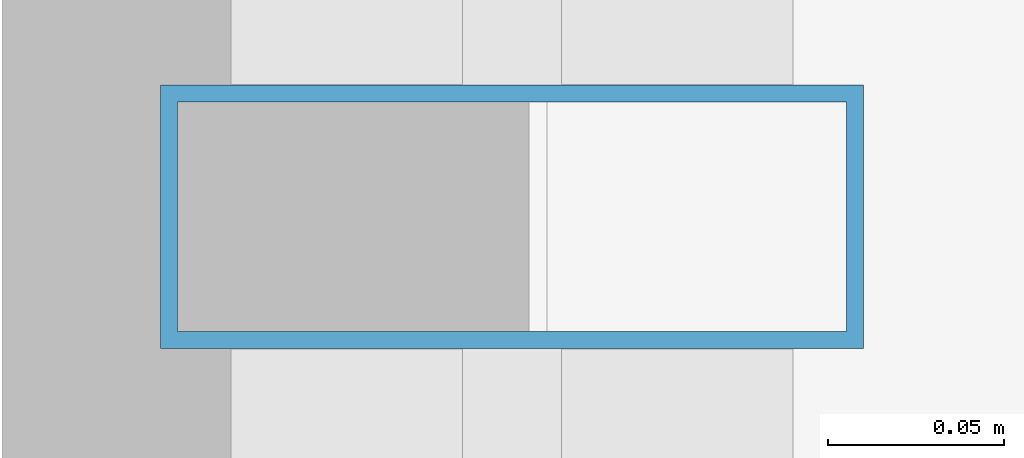
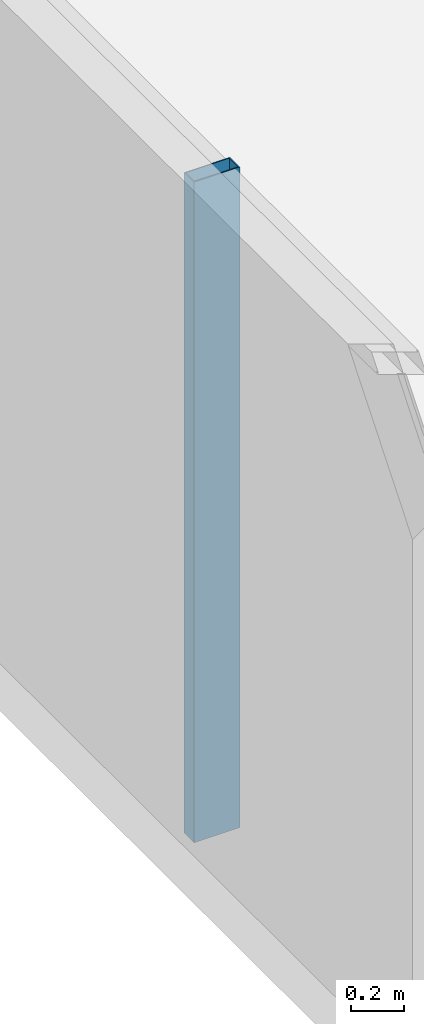
# One storey, part 8 of 30: 1 member, 1 element without a shape of its own.
"""IFC4 building model written with IfcOpenShell, lengths in metres."""

import ifcopenshell
import ifcopenshell.guid

model = None  # the IFC model being written
_history = None  # IfcOwnerHistory: only IFC2X3 demands one
_inside = {}  # id of a spatial element -> (the spatial element, [elements in it])
_under = {}  # id of a project, library or spatial element -> (it, [spatial elements below it])
_declared = {}  # id of a project -> (the project, [libraries it declares])
_typed = {}  # id of a type object -> (the type object, [elements of that type])
_made_of = {}  # id of a material, layer set ... -> (it, [elements and type objects made of it])


def new_model(schema):
    """Start an empty IFC model of exactly this schema.

    Asked for "IFC4X3", IfcOpenShell would pick the latest addendum, in which some entities
    have other attributes; the version numbers below select the first issue.
    IFC2X3 requires an IfcOwnerHistory on every rooted entity: one is made here for all.
    """
    global model, _history
    if schema == "IFC4X3":
        model = ifcopenshell.file(schema_version=(4, 3, 0, 0))
    else:
        model = ifcopenshell.file(schema=schema)
    _inside.clear()
    _under.clear()
    _declared.clear()
    _typed.clear()
    _made_of.clear()
    _history = None
    if model.schema == "IFC2X3":
        org = make("IfcOrganization", Name="unknown")
        user = make(
            "IfcPersonAndOrganization",
            ThePerson=make("IfcPerson", FamilyName="unknown"),
            TheOrganization=org,
        )
        app = make(
            "IfcApplication",
            ApplicationDeveloper=org,
            Version="unknown",
            ApplicationFullName="unknown",
            ApplicationIdentifier="unknown",
        )
        _history = make(
            "IfcOwnerHistory",
            OwningUser=user,
            OwningApplication=app,
            ChangeAction="ADDED",
            CreationDate=0,
        )
    return model


def make(cls, **values):
    """One entity of the class cls with the attributes given. An attribute that is None is left unset."""
    return model.create_entity(
        cls, **{name: value for name, value in values.items() if value is not None}
    )


def rooted(cls, **values):
    """An entity with a GlobalId (a new one), such as an element, a storey or a relation."""
    return make(cls, GlobalId=ifcopenshell.guid.new(), OwnerHistory=_history, **values)


def si_unit(unit_type, name, prefix=None):
    """IfcSIUnit, for example si_unit("LENGTHUNIT", "METRE", prefix="MILLI")."""
    return make("IfcSIUnit", UnitType=unit_type, Prefix=prefix, Name=name)


def assignment(units):
    """IfcUnitAssignment: the units of a project."""
    return None if units is None else make("IfcUnitAssignment", Units=units)


def point(xyz):
    """IfcCartesianPoint."""
    return None if xyz is None else make("IfcCartesianPoint", Coordinates=xyz)


def direction(xyz):
    """IfcDirection."""
    return None if xyz is None else make("IfcDirection", DirectionRatios=xyz)


def frame(location, z_axis=None, x_axis=None):
    """IfcAxis2Placement3D, a coordinate frame: its origin and axes. An axis left out is left unset."""
    return make(
        "IfcAxis2Placement3D",
        Location=point(location),
        Axis=direction(z_axis),
        RefDirection=direction(x_axis),
    )


def frame_2d(location, x_axis=None):
    """IfcAxis2Placement2D, a coordinate frame in the plane: its origin and x axis."""
    return make(
        "IfcAxis2Placement2D", Location=point(location), RefDirection=direction(x_axis)
    )


def origin():
    """The frame at (0, 0, 0) with its axes left unset."""
    return frame((0.0, 0.0, 0.0))


def origin_2d():
    """The frame at (0, 0) in the plane with its x axis left unset."""
    return frame_2d((0.0, 0.0))


def place(relative_to, where):
    """IfcLocalPlacement: puts the frame where relative to a parent placement (None: the world)."""
    return make(
        "IfcLocalPlacement", PlacementRelTo=relative_to, RelativePlacement=where
    )


def context(
    kind, dimensions, precision=None, world=None, true_north=None, identifier=None
):
    """IfcGeometricRepresentationContext, for example the 3D "Model" context."""
    return make(
        "IfcGeometricRepresentationContext",
        ContextIdentifier=identifier,
        ContextType=kind,
        CoordinateSpaceDimension=dimensions,
        Precision=precision,
        WorldCoordinateSystem=world,
        TrueNorth=true_north,
    )


def subcontext(parent, identifier, kind, view, scale=None):
    """IfcGeometricRepresentationSubContext, for example "Body" below "Model"."""
    return make(
        "IfcGeometricRepresentationSubContext",
        ContextIdentifier=identifier,
        ContextType=kind,
        ParentContext=parent,
        TargetScale=scale,
        TargetView=view,
    )


def project(units=None, contexts=None):
    """IfcProject with its units and contexts."""
    return rooted(
        "IfcProject",
        Name="project",
        RepresentationContexts=contexts,
        UnitsInContext=assignment(units),
    )


def spatial(cls, under=None, at=None, **own):
    """A site, building, storey or space (cls), placed at a placement, below another one or the project."""
    s = rooted(cls, ObjectPlacement=at, **own)
    if under is not None:
        _under.setdefault(under.id(), (under, []))[1].append(s)
    return s


def profile(cls, at=None, kind="AREA", **sizes):
    """A parametric profile (cls). Its sizes go by their IFC names, for example OverallWidth=200.0."""
    return make(cls, ProfileType=kind, Position=at, **sizes)


def hollow_rectangle(**sizes):
    """IfcRectangleHollowProfileDef."""
    return profile("IfcRectangleHollowProfileDef", **sizes)


def extrude(swept, where, along, depth):
    """IfcExtrudedAreaSolid: the profile swept, set in the frame where, extruded along a direction by depth."""
    return make(
        "IfcExtrudedAreaSolid",
        SweptArea=swept,
        Position=where,
        ExtrudedDirection=direction(along),
        Depth=depth,
    )


def shape(context_of_items, identifier, shape_type, items):
    """IfcShapeRepresentation: the items that make up one representation, for example the "Body"."""
    return make(
        "IfcShapeRepresentation",
        ContextOfItems=context_of_items,
        RepresentationIdentifier=identifier,
        RepresentationType=shape_type,
        Items=items,
    )


def source(mapping_origin, context_of_items, identifier, shape_type, items):
    """IfcRepresentationMap: a shape defined once, which mapped items show again and again."""
    return make(
        "IfcRepresentationMap",
        MappingOrigin=mapping_origin,
        MappedRepresentation=shape(context_of_items, identifier, shape_type, items),
    )


def transform(
    local_origin,
    x_axis=None,
    y_axis=None,
    z_axis=None,
    scale=None,
    scale2=None,
    scale3=None,
    uniform=True,
):
    """IfcCartesianTransformationOperator3D, or its non-uniform kind. x_axis, y_axis, z_axis: its Axis1, 2, 3."""
    if uniform:
        return make(
            "IfcCartesianTransformationOperator3D",
            Axis1=direction(x_axis),
            Axis2=direction(y_axis),
            LocalOrigin=point(local_origin),
            Scale=scale,
            Axis3=direction(z_axis),
        )
    return make(
        "IfcCartesianTransformationOperator3DnonUniform",
        Axis1=direction(x_axis),
        Axis2=direction(y_axis),
        LocalOrigin=point(local_origin),
        Scale=scale,
        Axis3=direction(z_axis),
        Scale2=scale2,
        Scale3=scale3,
    )


def mapped(mapping_source, mapping_target):
    """IfcMappedItem: shows the shape of a source again, moved by a transform."""
    return make(
        "IfcMappedItem", MappingSource=mapping_source, MappingTarget=mapping_target
    )


def material(Name=None, Category=None):
    """IfcMaterial."""
    return make("IfcMaterial", Name=Name, Category=Category)


def layer(
    of_material, thickness, ventilated=None, Name=None, Category=None, Priority=None
):
    """IfcMaterialLayer: one layer of a wall or slab, of a material (None: an air gap)."""
    return make(
        "IfcMaterialLayer",
        Material=of_material,
        LayerThickness=thickness,
        IsVentilated=ventilated,
        Name=Name,
        Category=Category,
        Priority=Priority,
    )


def layer_set(layers, Name=None):
    """IfcMaterialLayerSet."""
    return make("IfcMaterialLayerSet", MaterialLayers=layers, LayerSetName=Name)


def material_profile(
    of_material, cross_section, Name=None, Category=None, Priority=None
):
    """IfcMaterialProfile: a cross section and its material."""
    return make(
        "IfcMaterialProfile",
        Name=Name,
        Material=of_material,
        Profile=cross_section,
        Priority=Priority,
        Category=Category,
    )


def profile_set(profiles, Name=None, composite=None):
    """IfcMaterialProfileSet."""
    return make(
        "IfcMaterialProfileSet",
        Name=Name,
        MaterialProfiles=profiles,
        CompositeProfile=composite,
    )


def made_of(thing, what):
    """Note that an element or type object is made of a material, layer set ...; save() writes the relation."""
    if what is not None:
        _made_of.setdefault(what.id(), (what, []))[1].append(thing)
    return thing


def type_object(cls, material=None, **own):
    """A type object (cls), such as IfcWallType, which elements share."""
    return made_of(rooted(cls, **own), material)


def element(
    cls,
    number,
    at=None,
    inside=None,
    cuts=None,
    type_object=None,
    material=None,
    context=None,
    identifier="Body",
    shape_type=None,
    held_by="IfcProductDefinitionShape",
    body=None,
    shapes=None,
    **own,
):
    """One element of the class cls, such as IfcWall. Its Tag is "e" and its number.

    at: its placement. inside: the storey or other place that contains it. cuts: it is an
    opening in that element (IfcRelVoidsElement). A single representation is given by context,
    identifier, shape_type and body (its items); several are given by shapes. held_by: the class
    of the entity that holds the representations. save() writes the other relations.
    """
    e = rooted(cls, Tag="e%d" % number, ObjectPlacement=at, **own)
    if body is not None:
        shapes = [shape(context, identifier, shape_type, body)]
    if shapes is not None:
        e.Representation = make(held_by, Representations=shapes)
    if inside is not None:
        _inside.setdefault(inside.id(), (inside, []))[1].append(e)
    if cuts is not None:
        rooted(
            "IfcRelVoidsElement", RelatingBuildingElement=cuts, RelatedOpeningElement=e
        )
    if type_object is not None:
        _typed.setdefault(type_object.id(), (type_object, []))[1].append(e)
    return made_of(e, material)


def aggregate(whole, parts):
    """IfcRelAggregates: a whole, such as a stair, and the parts it consists of."""
    return rooted("IfcRelAggregates", RelatingObject=whole, RelatedObjects=parts)


def save(model, path):
    """Write the relations noted so far, then the file.

    IfcRelAggregates (storeys below a building ...), IfcRelContainedInSpatialStructure (elements
    in a storey), IfcRelDefinesByType, IfcRelAssociatesMaterial and IfcRelDeclares: one each for
    every whole, place, type object, material and project.
    """
    for whole, parts in _under.values():
        aggregate(whole, parts)
    for where, things in _inside.values():
        rooted(
            "IfcRelContainedInSpatialStructure",
            RelatedElements=things,
            RelatingStructure=where,
        )
    for kind, things in _typed.values():
        rooted("IfcRelDefinesByType", RelatedObjects=things, RelatingType=kind)
    for what, things in _made_of.values():
        rooted("IfcRelAssociatesMaterial", RelatedObjects=things, RelatingMaterial=what)
    for by, libraries in _declared.values():
        rooted("IfcRelDeclares", RelatingContext=by, RelatedDefinitions=libraries)
    model.write(path)


model = new_model("IFC4")

# Units and contexts
model_context = context("Model", 3, precision=1e-05, world=origin(), true_north=direction((0.0, 1.0)))
body_context = subcontext(model_context, "Body", "Model", "MODEL_VIEW")
ifc_project = project(units=[si_unit("LENGTHUNIT", "METRE"), si_unit("AREAUNIT", "SQUARE_METRE"), si_unit("VOLUMEUNIT", "CUBIC_METRE"), si_unit("PLANEANGLEUNIT", "RADIAN"), si_unit("MASSUNIT", "GRAM", prefix="KILO")], contexts=[model_context])

# Site, building, storey
site_placement = place(None, origin())
site = spatial("IfcSite", under=ifc_project, at=site_placement, CompositionType="ELEMENT")
building_placement = place(site_placement, origin())
building = spatial("IfcBuilding", under=site, at=building_placement, Name="Zarnakvel Exchange Tower", CompositionType="ELEMENT")
storey_placement = place(building_placement, frame((0.0, 0.0, 30.699951171875)))
storey = spatial("IfcBuildingStorey", under=building, at=storey_placement, Name="L07", CompositionType="ELEMENT", Elevation=30.699951171875)

# Curtain wall, member
ifc_material = material(Name="Architectural Bronze Anodised Aluminium", Category="aluminium")
ifc_layer = layer(ifc_material, 0.199951171875)
ifc_layer_set = layer_set([ifc_layer], Name="Architectural Bronze Anodised Aluminium")
curtain_wall_type = type_object("IfcCurtainWallType", Name="CW-04", PredefinedType="NOTDEFINED", material=ifc_layer_set)
curtain_wall_placement = place(storey_placement, origin())
curtain_wall = element("IfcCurtainWall", 1, at=curtain_wall_placement, inside=storey, type_object=curtain_wall_type, Name="L07 Curtain Wall CW-L07-W1 (CW-04)", PredefinedType="NOTDEFINED")
ifc_material_profile = material_profile(ifc_material, hollow_rectangle(XDim=0.199951171875, YDim=0.074951171875, WallThickness=0.0048828125, at=origin_2d()))
ifc_profile_set = profile_set([ifc_material_profile], Name="Architectural Bronze Anodised Aluminium")
member_type = type_object("IfcMemberType", Name="CWM-04", PredefinedType="MULLION", material=ifc_profile_set)
shared_shape = source(origin(), body_context, "Body", "SweptSolid", [
    extrude(hollow_rectangle(XDim=0.199951171875, YDim=0.074951171875, WallThickness=0.0048828125, at=origin_2d()), origin(), (0.0, 0.0, 1.0), 3.054931640625),
])
member_placement = place(storey_placement, frame((-32.4599609375, 0.0, 0.0), z_axis=(0.0, 0.0, 1.0), x_axis=(-1.0, 0.0, 0.0)))
member = element("IfcMember", 2, at=member_placement, type_object=member_type, Name="CW-04 mullion 3", PredefinedType="MULLION", context=body_context, shape_type="MappedRepresentation", body=[
    mapped(shared_shape, transform((0.0, 0.0, 0.0), x_axis=(1.0, 0.0, 0.0), y_axis=(0.0, 1.0, 0.0), z_axis=(0.0, 0.0, 1.0), scale=1.0)),
])
aggregate(curtain_wall, [member])

save(model, "model.ifc")
